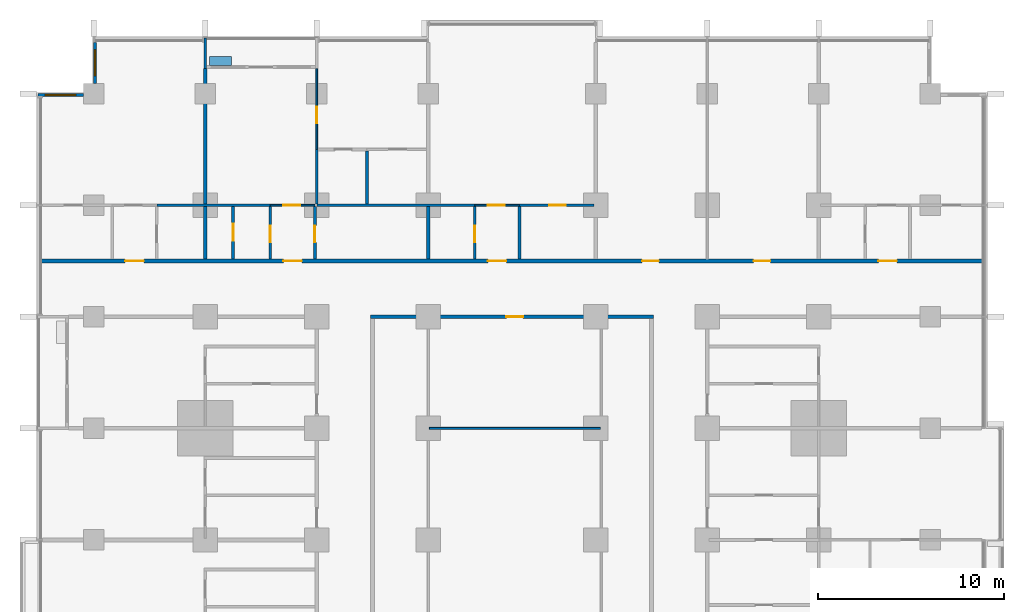
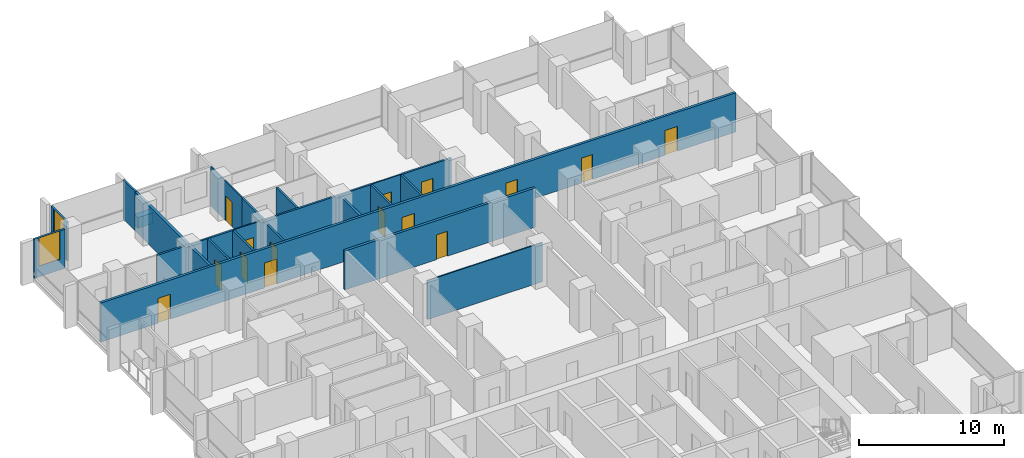
# One storey, part 11 of 17: 23 walls, 15 doors, 2 windows, 17 openings.
"""IFC4 building model written with IfcOpenShell, lengths in metres."""

import ifcopenshell
import ifcopenshell.guid

model = None  # the IFC model being written
_history = None  # IfcOwnerHistory: only IFC2X3 demands one
_inside = {}  # id of a spatial element -> (the spatial element, [elements in it])
_under = {}  # id of a project, library or spatial element -> (it, [spatial elements below it])
_declared = {}  # id of a project -> (the project, [libraries it declares])
_typed = {}  # id of a type object -> (the type object, [elements of that type])
_made_of = {}  # id of a material, layer set ... -> (it, [elements and type objects made of it])


def new_model(schema):
    """Start an empty IFC model of exactly this schema.

    Asked for "IFC4X3", IfcOpenShell would pick the latest addendum, in which some entities
    have other attributes; the version numbers below select the first issue.
    IFC2X3 requires an IfcOwnerHistory on every rooted entity: one is made here for all.
    """
    global model, _history
    if schema == "IFC4X3":
        model = ifcopenshell.file(schema_version=(4, 3, 0, 0))
    else:
        model = ifcopenshell.file(schema=schema)
    _inside.clear()
    _under.clear()
    _declared.clear()
    _typed.clear()
    _made_of.clear()
    _history = None
    if model.schema == "IFC2X3":
        org = make("IfcOrganization", Name="unknown")
        user = make(
            "IfcPersonAndOrganization",
            ThePerson=make("IfcPerson", FamilyName="unknown"),
            TheOrganization=org,
        )
        app = make(
            "IfcApplication",
            ApplicationDeveloper=org,
            Version="unknown",
            ApplicationFullName="unknown",
            ApplicationIdentifier="unknown",
        )
        _history = make(
            "IfcOwnerHistory",
            OwningUser=user,
            OwningApplication=app,
            ChangeAction="ADDED",
            CreationDate=0,
        )
    return model


def make(cls, **values):
    """One entity of the class cls with the attributes given. An attribute that is None is left unset."""
    return model.create_entity(
        cls, **{name: value for name, value in values.items() if value is not None}
    )


def rooted(cls, **values):
    """An entity with a GlobalId (a new one), such as an element, a storey or a relation."""
    return make(cls, GlobalId=ifcopenshell.guid.new(), OwnerHistory=_history, **values)


def si_unit(unit_type, name, prefix=None):
    """IfcSIUnit, for example si_unit("LENGTHUNIT", "METRE", prefix="MILLI")."""
    return make("IfcSIUnit", UnitType=unit_type, Prefix=prefix, Name=name)


def assignment(units):
    """IfcUnitAssignment: the units of a project."""
    return None if units is None else make("IfcUnitAssignment", Units=units)


def point(xyz):
    """IfcCartesianPoint."""
    return None if xyz is None else make("IfcCartesianPoint", Coordinates=xyz)


def direction(xyz):
    """IfcDirection."""
    return None if xyz is None else make("IfcDirection", DirectionRatios=xyz)


def frame(location, z_axis=None, x_axis=None):
    """IfcAxis2Placement3D, a coordinate frame: its origin and axes. An axis left out is left unset."""
    return make(
        "IfcAxis2Placement3D",
        Location=point(location),
        Axis=direction(z_axis),
        RefDirection=direction(x_axis),
    )


def frame_2d(location, x_axis=None):
    """IfcAxis2Placement2D, a coordinate frame in the plane: its origin and x axis."""
    return make(
        "IfcAxis2Placement2D", Location=point(location), RefDirection=direction(x_axis)
    )


def origin():
    """The frame at (0, 0, 0) with its axes left unset."""
    return frame((0.0, 0.0, 0.0))


def place(relative_to, where):
    """IfcLocalPlacement: puts the frame where relative to a parent placement (None: the world)."""
    return make(
        "IfcLocalPlacement", PlacementRelTo=relative_to, RelativePlacement=where
    )


def context(
    kind, dimensions, precision=None, world=None, true_north=None, identifier=None
):
    """IfcGeometricRepresentationContext, for example the 3D "Model" context."""
    return make(
        "IfcGeometricRepresentationContext",
        ContextIdentifier=identifier,
        ContextType=kind,
        CoordinateSpaceDimension=dimensions,
        Precision=precision,
        WorldCoordinateSystem=world,
        TrueNorth=true_north,
    )


def subcontext(parent, identifier, kind, view, scale=None):
    """IfcGeometricRepresentationSubContext, for example "Body" below "Model"."""
    return make(
        "IfcGeometricRepresentationSubContext",
        ContextIdentifier=identifier,
        ContextType=kind,
        ParentContext=parent,
        TargetScale=scale,
        TargetView=view,
    )


def project(units=None, contexts=None):
    """IfcProject with its units and contexts."""
    return rooted(
        "IfcProject",
        Name="project",
        RepresentationContexts=contexts,
        UnitsInContext=assignment(units),
    )


def spatial(cls, under=None, at=None, **own):
    """A site, building, storey or space (cls), placed at a placement, below another one or the project."""
    s = rooted(cls, ObjectPlacement=at, **own)
    if under is not None:
        _under.setdefault(under.id(), (under, []))[1].append(s)
    return s


def profile(cls, at=None, kind="AREA", **sizes):
    """A parametric profile (cls). Its sizes go by their IFC names, for example OverallWidth=200.0."""
    return make(cls, ProfileType=kind, Position=at, **sizes)


def rectangle(**sizes):
    """IfcRectangleProfileDef."""
    return profile("IfcRectangleProfileDef", **sizes)


def extrude(swept, where, along, depth):
    """IfcExtrudedAreaSolid: the profile swept, set in the frame where, extruded along a direction by depth."""
    return make(
        "IfcExtrudedAreaSolid",
        SweptArea=swept,
        Position=where,
        ExtrudedDirection=direction(along),
        Depth=depth,
    )


def shape(context_of_items, identifier, shape_type, items):
    """IfcShapeRepresentation: the items that make up one representation, for example the "Body"."""
    return make(
        "IfcShapeRepresentation",
        ContextOfItems=context_of_items,
        RepresentationIdentifier=identifier,
        RepresentationType=shape_type,
        Items=items,
    )


def material(Name=None, Category=None):
    """IfcMaterial."""
    return make("IfcMaterial", Name=Name, Category=Category)


def layer(
    of_material, thickness, ventilated=None, Name=None, Category=None, Priority=None
):
    """IfcMaterialLayer: one layer of a wall or slab, of a material (None: an air gap)."""
    return make(
        "IfcMaterialLayer",
        Material=of_material,
        LayerThickness=thickness,
        IsVentilated=ventilated,
        Name=Name,
        Category=Category,
        Priority=Priority,
    )


def layer_set(layers, Name=None):
    """IfcMaterialLayerSet."""
    return make("IfcMaterialLayerSet", MaterialLayers=layers, LayerSetName=Name)


def made_of(thing, what):
    """Note that an element or type object is made of a material, layer set ...; save() writes the relation."""
    if what is not None:
        _made_of.setdefault(what.id(), (what, []))[1].append(thing)
    return thing


def type_object(cls, material=None, **own):
    """A type object (cls), such as IfcWallType, which elements share."""
    return made_of(rooted(cls, **own), material)


def element(
    cls,
    number,
    at=None,
    inside=None,
    cuts=None,
    type_object=None,
    material=None,
    context=None,
    identifier="Body",
    shape_type=None,
    held_by="IfcProductDefinitionShape",
    body=None,
    shapes=None,
    **own,
):
    """One element of the class cls, such as IfcWall. Its Tag is "e" and its number.

    at: its placement. inside: the storey or other place that contains it. cuts: it is an
    opening in that element (IfcRelVoidsElement). A single representation is given by context,
    identifier, shape_type and body (its items); several are given by shapes. held_by: the class
    of the entity that holds the representations. save() writes the other relations.
    """
    e = rooted(cls, Tag="e%d" % number, ObjectPlacement=at, **own)
    if body is not None:
        shapes = [shape(context, identifier, shape_type, body)]
    if shapes is not None:
        e.Representation = make(held_by, Representations=shapes)
    if inside is not None:
        _inside.setdefault(inside.id(), (inside, []))[1].append(e)
    if cuts is not None:
        rooted(
            "IfcRelVoidsElement", RelatingBuildingElement=cuts, RelatedOpeningElement=e
        )
    if type_object is not None:
        _typed.setdefault(type_object.id(), (type_object, []))[1].append(e)
    return made_of(e, material)


def fill(opening, filler):
    """IfcRelFillsElement: the door or window that sits in an opening."""
    return rooted(
        "IfcRelFillsElement",
        RelatingOpeningElement=opening,
        RelatedBuildingElement=filler,
    )


def aggregate(whole, parts):
    """IfcRelAggregates: a whole, such as a stair, and the parts it consists of."""
    return rooted("IfcRelAggregates", RelatingObject=whole, RelatedObjects=parts)


def save(model, path):
    """Write the relations noted so far, then the file.

    IfcRelAggregates (storeys below a building ...), IfcRelContainedInSpatialStructure (elements
    in a storey), IfcRelDefinesByType, IfcRelAssociatesMaterial and IfcRelDeclares: one each for
    every whole, place, type object, material and project.
    """
    for whole, parts in _under.values():
        aggregate(whole, parts)
    for where, things in _inside.values():
        rooted(
            "IfcRelContainedInSpatialStructure",
            RelatedElements=things,
            RelatingStructure=where,
        )
    for kind, things in _typed.values():
        rooted("IfcRelDefinesByType", RelatedObjects=things, RelatingType=kind)
    for what, things in _made_of.values():
        rooted("IfcRelAssociatesMaterial", RelatedObjects=things, RelatingMaterial=what)
    for by, libraries in _declared.values():
        rooted("IfcRelDeclares", RelatingContext=by, RelatedDefinitions=libraries)
    model.write(path)


model = new_model("IFC4")

# Units and contexts
model_context = context("Model", 3, precision=1e-05, world=origin(), true_north=direction((0.0, 1.0)))
body_context = subcontext(model_context, "Body", "Model", "MODEL_VIEW")
ifc_project = project(units=[si_unit("LENGTHUNIT", "METRE"), si_unit("AREAUNIT", "SQUARE_METRE"), si_unit("VOLUMEUNIT", "CUBIC_METRE"), si_unit("PLANEANGLEUNIT", "RADIAN"), si_unit("MASSUNIT", "GRAM", prefix="KILO")], contexts=[model_context])

# Site, building, storey
site_placement = place(None, origin())
site = spatial("IfcSite", under=ifc_project, at=site_placement, CompositionType="ELEMENT")
building_placement = place(site_placement, origin())
building = spatial("IfcBuilding", under=site, at=building_placement, Name="Finial Court Residences", CompositionType="ELEMENT")
storey_placement = place(building_placement, frame((0.0, 0.0, 61.300048828125)))
storey = spatial("IfcBuildingStorey", under=building, at=storey_placement, Name="L14", CompositionType="ELEMENT", Elevation=61.300048828125)

# Walls
ifc_material_1 = material(Name="Gypsum board")
ifc_layer_1 = layer(ifc_material_1, 0.02490234375)
ifc_material_2 = material(Name="Acoustic mineral wool in double frame")
ifc_layer_2 = layer(ifc_material_2, 0.14990234375)
ifc_layer_3 = layer(ifc_material_1, 0.02490234375)
ifc_layer_set_1 = layer_set([ifc_layer_1, ifc_layer_2, ifc_layer_3], Name="Acoustic party wall 200, 1 hour")
wall_type_1 = type_object("IfcWallType", Name="Acoustic party wall 200, 1 hour", PredefinedType="PARTITIONING", material=ifc_layer_set_1)
wall_1_placement = place(storey_placement, frame((-16.5, 16.60009765625, 0.0), z_axis=(0.0, 0.0, 1.0), x_axis=(0.0, 1.0, 0.0)))
element("IfcWall", 1, at=wall_1_placement, inside=storey, type_object=wall_type_1, Name="Partition L14-053", PredefinedType="PARTITIONING", context=body_context, shape_type="SweptSolid", body=[
    extrude(rectangle(XDim=2.824951171875, YDim=0.199951171875, at=frame_2d((1.41259765625, 0.0))), origin(), (0.0, 0.0, 1.0), 3.300048828125),
])
wall_2_placement = place(storey_placement, frame((-16.5, 19.574951171875, 0.0), z_axis=(0.0, 0.0, 1.0), x_axis=(0.0, 1.0, 0.0)))
element("IfcWall", 2, at=wall_2_placement, inside=storey, type_object=wall_type_1, Name="Partition L14-054", PredefinedType="PARTITIONING", context=body_context, shape_type="SweptSolid", body=[
    extrude(rectangle(XDim=7.275146484375, YDim=0.199951171875, at=frame_2d((3.6376953125, 0.0))), origin(), (0.0, 0.0, 1.0), 3.300048828125),
])
wall_3_placement = place(storey_placement, frame((-4.5, 16.60009765625, 0.0), z_axis=(0.0, 0.0, 1.0), x_axis=(0.0, 1.0, 0.0)))
element("IfcWall", 3, at=wall_3_placement, inside=storey, type_object=wall_type_1, Name="Partition L14-069", PredefinedType="PARTITIONING", context=body_context, shape_type="SweptSolid", body=[
    extrude(rectangle(XDim=2.824951171875, YDim=0.199951171875, at=frame_2d((1.41259765625, 0.0))), origin(), (0.0, 0.0, 1.0), 3.300048828125),
])

# Wall, opening, door
ifc_layer_4 = layer(ifc_material_1, 0.02490234375)
ifc_layer_5 = layer(ifc_material_2, 0.14990234375)
ifc_layer_6 = layer(ifc_material_1, 0.02490234375)
ifc_layer_set_2 = layer_set([ifc_layer_4, ifc_layer_5, ifc_layer_6], Name="Corridor wall 200, 1 hour")
wall_type_2 = type_object("IfcWallType", Name="Corridor wall 200, 1 hour", PredefinedType="PARTITIONING", material=ifc_layer_set_2)
wall_4_placement = place(storey_placement, frame((-7.60009765625, 13.5, 0.0), z_axis=(0.0, 0.0, 1.0), x_axis=(1.0, 0.0, 0.0)))
wall_4 = element("IfcWall", 4, at=wall_4_placement, inside=storey, type_object=wall_type_2, Name="Partition L14-029", PredefinedType="PARTITIONING", context=body_context, shape_type="SweptSolid", body=[
    extrude(rectangle(XDim=15.2001953125, YDim=0.199951171875, at=frame_2d((7.60009765625, 0.0))), origin(), (0.0, 0.0, 1.0), 3.300048828125),
])
opening_1_placement = place(wall_4_placement, frame((7.300048828125, 0.0, 0.0)))
opening_1 = element("IfcOpeningElement", 5, at=opening_1_placement, cuts=wall_4, Name="Opening L14-D017", PredefinedType="OPENING", context=body_context, shape_type="SweptSolid", body=[
    extrude(rectangle(XDim=0.89990234375, YDim=2.10009765625, at=frame_2d((0.449951171875, 1.050048828125))), frame((0.0, 0.10986328125, 0.0), z_axis=(0.0, -1.0, 0.0), x_axis=(1.0, 0.0, 0.0)), (0.0, 0.0, 1.0), 0.219970703125),
])
ifc_material_3 = material(Name="Timber door leaf in hollow metal frame", Category="wood")
door_type_1 = type_object("IfcDoorType", Name="Fire door set 900 x 2100, 30 minutes", OperationType="SINGLE_SWING_LEFT", PredefinedType="DOOR", material=ifc_material_3)
door_1_placement = place(opening_1_placement, origin())
door_1 = element("IfcDoor", 6, at=door_1_placement, inside=storey, type_object=door_type_1, Name="Door L14-D017", OperationType="SINGLE_SWING_RIGHT", OverallHeight=2.10009765625, OverallWidth=0.89990234375, PredefinedType="DOOR", context=body_context, shape_type="SweptSolid", body=[
    extrude(rectangle(XDim=0.89990234375, YDim=2.10009765625, at=frame_2d((0.449951171875, 1.050048828125))), frame((0.0, 0.02490234375, 0.0), z_axis=(0.0, -1.0, 0.0), x_axis=(1.0, 0.0, 0.0)), (0.0, 0.0, 1.0), 0.050048828125),
])
fill(opening_1, door_1)

# Wall, openings, doors
wall_5_placement = place(storey_placement, frame((-25.35009765625, 16.5, 0.0), z_axis=(0.0, 0.0, 1.0), x_axis=(1.0, 0.0, 0.0)))
wall_5 = element("IfcWall", 7, at=wall_5_placement, inside=storey, type_object=wall_type_2, Name="Partition L14-031", PredefinedType="PARTITIONING", context=body_context, shape_type="SweptSolid", body=[
    extrude(rectangle(XDim=50.7001953125, YDim=0.199951171875, at=frame_2d((25.35009765625, 0.0))), origin(), (0.0, 0.0, 1.0), 3.300048828125),
])
opening_2_placement = place(wall_5_placement, frame((4.550048828125, 0.0, 0.0)))
opening_2 = element("IfcOpeningElement", 8, at=opening_2_placement, cuts=wall_5, Name="Opening L14-D018", PredefinedType="OPENING", context=body_context, shape_type="SweptSolid", body=[
    extrude(rectangle(XDim=1.0, YDim=2.10009765625, at=frame_2d((0.5, 1.050048828125))), frame((0.0, 0.10986328125, 0.0), z_axis=(0.0, -1.0, 0.0), x_axis=(1.0, 0.0, 0.0)), (0.0, 0.0, 1.0), 0.219970703125),
])
opening_3_placement = place(wall_5_placement, frame((13.050048828125, 0.0, 0.0)))
opening_3 = element("IfcOpeningElement", 9, at=opening_3_placement, cuts=wall_5, Name="Opening L14-D019", PredefinedType="OPENING", context=body_context, shape_type="SweptSolid", body=[
    extrude(rectangle(XDim=1.0, YDim=2.10009765625, at=frame_2d((0.5, 1.050048828125))), frame((0.0, 0.10986328125, 0.0), z_axis=(0.0, -1.0, 0.0), x_axis=(1.0, 0.0, 0.0)), (0.0, 0.0, 1.0), 0.219970703125),
])
opening_4_placement = place(wall_5_placement, frame((24.050048828125, 0.0, 0.0)))
opening_4 = element("IfcOpeningElement", 10, at=opening_4_placement, cuts=wall_5, Name="Opening L14-D020", PredefinedType="OPENING", context=body_context, shape_type="SweptSolid", body=[
    extrude(rectangle(XDim=1.0, YDim=2.10009765625, at=frame_2d((0.5, 1.050048828125))), frame((0.0, 0.10986328125, 0.0), z_axis=(0.0, -1.0, 0.0), x_axis=(1.0, 0.0, 0.0)), (0.0, 0.0, 1.0), 0.219970703125),
])
opening_5_placement = place(wall_5_placement, frame((32.35009765625, 0.0, 0.0)))
opening_5 = element("IfcOpeningElement", 11, at=opening_5_placement, cuts=wall_5, Name="Opening L14-D021", PredefinedType="OPENING", context=body_context, shape_type="SweptSolid", body=[
    extrude(rectangle(XDim=0.89990234375, YDim=2.10009765625, at=frame_2d((0.449951171875, 1.050048828125))), frame((0.0, 0.10986328125, 0.0), z_axis=(0.0, -1.0, 0.0), x_axis=(1.0, 0.0, 0.0)), (0.0, 0.0, 1.0), 0.219970703125),
])
opening_6_placement = place(wall_5_placement, frame((38.35009765625, 0.0, 0.0)))
opening_6 = element("IfcOpeningElement", 12, at=opening_6_placement, cuts=wall_5, Name="Opening L14-D022", PredefinedType="OPENING", context=body_context, shape_type="SweptSolid", body=[
    extrude(rectangle(XDim=0.89990234375, YDim=2.10009765625, at=frame_2d((0.449951171875, 1.050048828125))), frame((0.0, 0.10986328125, 0.0), z_axis=(0.0, -1.0, 0.0), x_axis=(1.0, 0.0, 0.0)), (0.0, 0.0, 1.0), 0.219970703125),
])
opening_7_placement = place(wall_5_placement, frame((45.050048828125, 0.0, 0.0)))
opening_7 = element("IfcOpeningElement", 13, at=opening_7_placement, cuts=wall_5, Name="Opening L14-D023", PredefinedType="OPENING", context=body_context, shape_type="SweptSolid", body=[
    extrude(rectangle(XDim=1.0, YDim=2.10009765625, at=frame_2d((0.5, 1.050048828125))), frame((0.0, 0.10986328125, 0.0), z_axis=(0.0, -1.0, 0.0), x_axis=(1.0, 0.0, 0.0)), (0.0, 0.0, 1.0), 0.219970703125),
])
door_type_2 = type_object("IfcDoorType", Name="Fire door set 1000 x 2100, 30 minutes", OperationType="SINGLE_SWING_LEFT", PredefinedType="DOOR", material=ifc_material_3)
door_2_placement = place(opening_2_placement, origin())
door_2 = element("IfcDoor", 14, at=door_2_placement, inside=storey, type_object=door_type_2, Name="Door L14-D018", OperationType="SINGLE_SWING_RIGHT", OverallHeight=2.10009765625, OverallWidth=1.0, PredefinedType="DOOR", context=body_context, shape_type="SweptSolid", body=[
    extrude(rectangle(XDim=1.0, YDim=2.10009765625, at=frame_2d((0.5, 1.050048828125))), frame((0.0, 0.02490234375, 0.0), z_axis=(0.0, -1.0, 0.0), x_axis=(1.0, 0.0, 0.0)), (0.0, 0.0, 1.0), 0.050048828125),
])
fill(opening_2, door_2)
door_3_placement = place(opening_3_placement, origin())
door_3 = element("IfcDoor", 15, at=door_3_placement, inside=storey, type_object=door_type_2, Name="Door L14-D019", OperationType="SINGLE_SWING_RIGHT", OverallHeight=2.10009765625, OverallWidth=1.0, PredefinedType="DOOR", context=body_context, shape_type="SweptSolid", body=[
    extrude(rectangle(XDim=1.0, YDim=2.10009765625, at=frame_2d((0.5, 1.050048828125))), frame((0.0, 0.02490234375, 0.0), z_axis=(0.0, -1.0, 0.0), x_axis=(1.0, 0.0, 0.0)), (0.0, 0.0, 1.0), 0.050048828125),
])
fill(opening_3, door_3)
door_4_placement = place(opening_4_placement, origin())
door_4 = element("IfcDoor", 16, at=door_4_placement, inside=storey, type_object=door_type_2, Name="Door L14-D020", OperationType="SINGLE_SWING_RIGHT", OverallHeight=2.10009765625, OverallWidth=1.0, PredefinedType="DOOR", context=body_context, shape_type="SweptSolid", body=[
    extrude(rectangle(XDim=1.0, YDim=2.10009765625, at=frame_2d((0.5, 1.050048828125))), frame((0.0, 0.02490234375, 0.0), z_axis=(0.0, -1.0, 0.0), x_axis=(1.0, 0.0, 0.0)), (0.0, 0.0, 1.0), 0.050048828125),
])
fill(opening_4, door_4)
door_5_placement = place(opening_7_placement, origin())
door_5 = element("IfcDoor", 17, at=door_5_placement, inside=storey, type_object=door_type_2, Name="Door L14-D023", OperationType="SINGLE_SWING_LEFT", OverallHeight=2.10009765625, OverallWidth=1.0, PredefinedType="DOOR", context=body_context, shape_type="SweptSolid", body=[
    extrude(rectangle(XDim=1.0, YDim=2.10009765625, at=frame_2d((0.5, 1.050048828125))), frame((0.0, 0.02490234375, 0.0), z_axis=(0.0, -1.0, 0.0), x_axis=(1.0, 0.0, 0.0)), (0.0, 0.0, 1.0), 0.050048828125),
])
fill(opening_7, door_5)
door_6_placement = place(opening_5_placement, origin())
door_6 = element("IfcDoor", 18, at=door_6_placement, inside=storey, type_object=door_type_1, Name="Door L14-D021", OperationType="SINGLE_SWING_LEFT", OverallHeight=2.10009765625, OverallWidth=0.89990234375, PredefinedType="DOOR", context=body_context, shape_type="SweptSolid", body=[
    extrude(rectangle(XDim=0.89990234375, YDim=2.10009765625, at=frame_2d((0.449951171875, 1.050048828125))), frame((0.0, 0.02490234375, 0.0), z_axis=(0.0, -1.0, 0.0), x_axis=(1.0, 0.0, 0.0)), (0.0, 0.0, 1.0), 0.050048828125),
])
fill(opening_5, door_6)
door_7_placement = place(opening_6_placement, origin())
door_7 = element("IfcDoor", 19, at=door_7_placement, inside=storey, type_object=door_type_1, Name="Door L14-D022", OperationType="SINGLE_SWING_LEFT", OverallHeight=2.10009765625, OverallWidth=0.89990234375, PredefinedType="DOOR", context=body_context, shape_type="SweptSolid", body=[
    extrude(rectangle(XDim=0.89990234375, YDim=2.10009765625, at=frame_2d((0.449951171875, 1.050048828125))), frame((0.0, 0.02490234375, 0.0), z_axis=(0.0, -1.0, 0.0), x_axis=(1.0, 0.0, 0.0)), (0.0, 0.0, 1.0), 0.050048828125),
])
fill(opening_6, door_7)

# Wall
ifc_layer_7 = layer(ifc_material_1, 0.012451171875)
ifc_material_4 = material(Name="Mineral wool in light-gauge frame")
ifc_layer_8 = layer(ifc_material_4, 0.074951171875)
ifc_layer_9 = layer(ifc_material_1, 0.012451171875)
ifc_layer_set_3 = layer_set([ifc_layer_7, ifc_layer_8, ifc_layer_9], Name="Gypsum board partition 100")
wall_type_3 = type_object("IfcWallType", Name="Gypsum board partition 100", PredefinedType="PARTITIONING", material=ifc_layer_set_3)
wall_6_placement = place(storey_placement, frame((-4.449951171875, 7.5, 0.0), z_axis=(0.0, 0.0, 1.0), x_axis=(1.0, 0.0, 0.0)))
element("IfcWall", 20, at=wall_6_placement, inside=storey, type_object=wall_type_3, Name="Partition L14-021", PredefinedType="PARTITIONING", context=body_context, shape_type="SweptSolid", body=[
    extrude(rectangle(XDim=9.199951171875, YDim=0.10009765625, at=frame_2d((4.60009765625, 0.0))), origin(), (0.0, 0.0, 1.0), 3.300048828125),
])

# Wall, opening, door
wall_7_placement = place(storey_placement, frame((-13.0, 19.5, 0.0), z_axis=(0.0, 0.0, 1.0), x_axis=(1.0, 0.0, 0.0)))
wall_7 = element("IfcWall", 21, at=wall_7_placement, inside=storey, type_object=wall_type_3, Name="Partition L14-033", PredefinedType="PARTITIONING", context=body_context, shape_type="SweptSolid", body=[
    extrude(rectangle(XDim=2.39990234375, YDim=0.10009765625, at=frame_2d((1.199951171875, 0.0))), origin(), (0.0, 0.0, 1.0), 3.300048828125),
])
opening_8_placement = place(wall_7_placement, frame((0.699951171875, 0.0, 0.0)))
opening_8 = element("IfcOpeningElement", 22, at=opening_8_placement, cuts=wall_7, Name="Opening L14-D025", PredefinedType="OPENING", context=body_context, shape_type="SweptSolid", body=[
    extrude(rectangle(XDim=0.89990234375, YDim=2.10009765625, at=frame_2d((0.449951171875, 1.050048828125))), frame((0.0, 0.06005859375, 0.0), z_axis=(0.0, -1.0, 0.0), x_axis=(1.0, 0.0, 0.0)), (0.0, 0.0, 1.0), 0.1201171875),
])
ifc_material_5 = material(Name="Timber door leaf in timber frame", Category="wood")
door_type_3 = type_object("IfcDoorType", Name="Door set 900 x 2100", OperationType="SINGLE_SWING_LEFT", PredefinedType="DOOR", material=ifc_material_5)
door_8_placement = place(opening_8_placement, origin())
door_8 = element("IfcDoor", 23, at=door_8_placement, inside=storey, type_object=door_type_3, Name="Door L14-D025", OperationType="SINGLE_SWING_RIGHT", OverallHeight=2.10009765625, OverallWidth=0.89990234375, PredefinedType="DOOR", context=body_context, shape_type="SweptSolid", body=[
    extrude(rectangle(XDim=0.89990234375, YDim=2.10009765625, at=frame_2d((0.449951171875, 1.050048828125))), frame((0.0, 0.02490234375, 0.0), z_axis=(0.0, -1.0, 0.0), x_axis=(1.0, 0.0, 0.0)), (0.0, 0.0, 1.0), 0.050048828125),
])
fill(opening_8, door_8)

wall_8_placement = place(storey_placement, frame((-2.0, 19.5, 0.0), z_axis=(0.0, 0.0, 1.0), x_axis=(1.0, 0.0, 0.0)))
wall_8 = element("IfcWall", 24, at=wall_8_placement, inside=storey, type_object=wall_type_3, Name="Partition L14-034", PredefinedType="PARTITIONING", context=body_context, shape_type="SweptSolid", body=[
    extrude(rectangle(XDim=2.39990234375, YDim=0.10009765625, at=frame_2d((1.199951171875, 0.0))), origin(), (0.0, 0.0, 1.0), 3.300048828125),
])
opening_9_placement = place(wall_8_placement, frame((0.699951171875, 0.0, 0.0)))
opening_9 = element("IfcOpeningElement", 25, at=opening_9_placement, cuts=wall_8, Name="Opening L14-D026", PredefinedType="OPENING", context=body_context, shape_type="SweptSolid", body=[
    extrude(rectangle(XDim=0.89990234375, YDim=2.10009765625, at=frame_2d((0.449951171875, 1.050048828125))), frame((0.0, 0.06005859375, 0.0), z_axis=(0.0, -1.0, 0.0), x_axis=(1.0, 0.0, 0.0)), (0.0, 0.0, 1.0), 0.1201171875),
])
door_9_placement = place(opening_9_placement, origin())
door_9 = element("IfcDoor", 26, at=door_9_placement, inside=storey, type_object=door_type_3, Name="Door L14-D026", OperationType="SINGLE_SWING_LEFT", OverallHeight=2.10009765625, OverallWidth=0.89990234375, PredefinedType="DOOR", context=body_context, shape_type="SweptSolid", body=[
    extrude(rectangle(XDim=0.89990234375, YDim=2.10009765625, at=frame_2d((0.449951171875, 1.050048828125))), frame((0.0, 0.02490234375, 0.0), z_axis=(0.0, -1.0, 0.0), x_axis=(1.0, 0.0, 0.0)), (0.0, 0.0, 1.0), 0.050048828125),
])
fill(opening_9, door_9)

wall_9_placement = place(storey_placement, frame((-10.5, 22.5, 0.0), z_axis=(0.0, 0.0, 1.0), x_axis=(0.0, 1.0, 0.0)))
wall_9 = element("IfcWall", 27, at=wall_9_placement, inside=storey, type_object=wall_type_3, Name="Partition L14-064", PredefinedType="PARTITIONING", context=body_context, shape_type="SweptSolid", body=[
    extrude(rectangle(XDim=4.35009765625, YDim=0.10009765625, at=frame_2d((2.175048828125, 0.0))), origin(), (0.0, 0.0, 1.0), 3.300048828125),
])
opening_10_placement = place(wall_9_placement, frame((1.39990234375, 0.0, 0.0)))
opening_10 = element("IfcOpeningElement", 28, at=opening_10_placement, cuts=wall_9, Name="Opening L14-D048", PredefinedType="OPENING", context=body_context, shape_type="SweptSolid", body=[
    extrude(rectangle(XDim=0.89990234375, YDim=2.10009765625, at=frame_2d((0.449951171875, 1.050048828125))), frame((0.0, 0.06005859375, 0.0), z_axis=(0.0, -1.0, 0.0), x_axis=(1.0, 0.0, 0.0)), (0.0, 0.0, 1.0), 0.1201171875),
])
door_10_placement = place(opening_10_placement, origin())
door_10 = element("IfcDoor", 29, at=door_10_placement, inside=storey, type_object=door_type_3, Name="Door L14-D048", OperationType="SINGLE_SWING_LEFT", OverallHeight=2.10009765625, OverallWidth=0.89990234375, PredefinedType="DOOR", context=body_context, shape_type="SweptSolid", body=[
    extrude(rectangle(XDim=0.89990234375, YDim=2.10009765625, at=frame_2d((0.449951171875, 1.050048828125))), frame((0.0, 0.02490234375, 0.0), z_axis=(0.0, -1.0, 0.0), x_axis=(1.0, 0.0, 0.0)), (0.0, 0.0, 1.0), 0.050048828125),
])
fill(opening_10, door_10)

# Walls
ifc_material_6 = material(Name="Moisture-resistant gypsum board")
ifc_layer_10 = layer(ifc_material_6, 0.012451171875)
ifc_layer_11 = layer(ifc_material_4, 0.125)
ifc_layer_12 = layer(ifc_material_6, 0.012451171875)
ifc_layer_set_4 = layer_set([ifc_layer_10, ifc_layer_11, ifc_layer_12], Name="Gypsum board wet-area partition 150")
wall_type_4 = type_object("IfcWallType", Name="Gypsum board wet-area partition 150", PredefinedType="PARTITIONING", material=ifc_layer_set_4)
wall_10_placement = place(storey_placement, frame((-19.10009765625, 19.5, 0.0), z_axis=(0.0, 0.0, 1.0), x_axis=(1.0, 0.0, 0.0)))
element("IfcWall", 30, at=wall_10_placement, inside=storey, type_object=wall_type_4, Name="Partition L14-037", PredefinedType="PARTITIONING", context=body_context, shape_type="SweptSolid", body=[
    extrude(rectangle(XDim=6.10009765625, YDim=0.14990234375, at=frame_2d((3.050048828125, 0.0))), origin(), (0.0, 0.0, 1.0), 3.300048828125),
])
wall_11_placement = place(storey_placement, frame((-10.5, 19.5, 0.0), z_axis=(0.0, 0.0, 1.0), x_axis=(1.0, 0.0, 0.0)))
element("IfcWall", 31, at=wall_11_placement, inside=storey, type_object=wall_type_4, Name="Partition L14-038", PredefinedType="PARTITIONING", context=body_context, shape_type="SweptSolid", body=[
    extrude(rectangle(XDim=8.5, YDim=0.14990234375, at=frame_2d((4.25, 0.0))), origin(), (0.0, 0.0, 1.0), 3.300048828125),
])

# Wall, opening, door
wall_12_placement = place(storey_placement, frame((0.39990234375, 19.5, 0.0), z_axis=(0.0, 0.0, 1.0), x_axis=(1.0, 0.0, 0.0)))
wall_12 = element("IfcWall", 32, at=wall_12_placement, inside=storey, type_object=wall_type_4, Name="Partition L14-039", PredefinedType="PARTITIONING", context=body_context, shape_type="SweptSolid", body=[
    extrude(rectangle(XDim=4.0, YDim=0.14990234375, at=frame_2d((2.0, 0.0))), origin(), (0.0, 0.0, 1.0), 3.300048828125),
])
opening_11_placement = place(wall_12_placement, frame((1.60009765625, 0.0, 0.0)))
opening_11 = element("IfcOpeningElement", 33, at=opening_11_placement, cuts=wall_12, Name="Opening L14-D029", PredefinedType="OPENING", context=body_context, shape_type="SweptSolid", body=[
    extrude(rectangle(XDim=0.89990234375, YDim=2.10009765625, at=frame_2d((0.449951171875, 1.050048828125))), frame((0.0, 0.0849609375, 0.0), z_axis=(0.0, -1.0, 0.0), x_axis=(1.0, 0.0, 0.0)), (0.0, 0.0, 1.0), 0.169921875),
])
door_11_placement = place(opening_11_placement, origin())
door_11 = element("IfcDoor", 34, at=door_11_placement, inside=storey, type_object=door_type_3, Name="Door L14-D029", OperationType="SINGLE_SWING_RIGHT", OverallHeight=2.10009765625, OverallWidth=0.89990234375, PredefinedType="DOOR", context=body_context, shape_type="SweptSolid", body=[
    extrude(rectangle(XDim=0.89990234375, YDim=2.10009765625, at=frame_2d((0.449951171875, 1.050048828125))), frame((0.0, 0.02490234375, 0.0), z_axis=(0.0, -1.0, 0.0), x_axis=(1.0, 0.0, 0.0)), (0.0, 0.0, 1.0), 0.050048828125),
])
fill(opening_11, door_11)

wall_13_placement = place(storey_placement, frame((-15.0, 16.60009765625, 0.0), z_axis=(0.0, 0.0, 1.0), x_axis=(0.0, 1.0, 0.0)))
wall_13 = element("IfcWall", 35, at=wall_13_placement, inside=storey, type_object=wall_type_4, Name="Partition L14-060", PredefinedType="PARTITIONING", context=body_context, shape_type="SweptSolid", body=[
    extrude(rectangle(XDim=2.824951171875, YDim=0.14990234375, at=frame_2d((1.41259765625, 0.0))), origin(), (0.0, 0.0, 1.0), 3.300048828125),
])
opening_12_placement = place(wall_13_placement, frame((1.0, 0.0, 0.0)))
opening_12 = element("IfcOpeningElement", 36, at=opening_12_placement, cuts=wall_13, Name="Opening L14-D043", PredefinedType="OPENING", context=body_context, shape_type="SweptSolid", body=[
    extrude(rectangle(XDim=0.89990234375, YDim=2.10009765625, at=frame_2d((0.449951171875, 1.050048828125))), frame((0.0, 0.0849609375, 0.0), z_axis=(0.0, -1.0, 0.0), x_axis=(1.0, 0.0, 0.0)), (0.0, 0.0, 1.0), 0.169921875),
])
door_12_placement = place(opening_12_placement, origin())
door_12 = element("IfcDoor", 37, at=door_12_placement, inside=storey, type_object=door_type_3, Name="Door L14-D043", OperationType="SINGLE_SWING_LEFT", OverallHeight=2.10009765625, OverallWidth=0.89990234375, PredefinedType="DOOR", context=body_context, shape_type="SweptSolid", body=[
    extrude(rectangle(XDim=0.89990234375, YDim=2.10009765625, at=frame_2d((0.449951171875, 1.050048828125))), frame((0.0, 0.02490234375, 0.0), z_axis=(0.0, -1.0, 0.0), x_axis=(1.0, 0.0, 0.0)), (0.0, 0.0, 1.0), 0.050048828125),
])
fill(opening_12, door_12)

wall_14_placement = place(storey_placement, frame((-13.0, 16.60009765625, 0.0), z_axis=(0.0, 0.0, 1.0), x_axis=(0.0, 1.0, 0.0)))
wall_14 = element("IfcWall", 38, at=wall_14_placement, inside=storey, type_object=wall_type_4, Name="Partition L14-061", PredefinedType="PARTITIONING", context=body_context, shape_type="SweptSolid", body=[
    extrude(rectangle(XDim=2.824951171875, YDim=0.14990234375, at=frame_2d((1.41259765625, 0.0))), origin(), (0.0, 0.0, 1.0), 3.300048828125),
])
opening_13_placement = place(wall_14_placement, frame((0.89990234375, 0.0, 0.0)))
opening_13 = element("IfcOpeningElement", 39, at=opening_13_placement, cuts=wall_14, Name="Opening L14-D044", PredefinedType="OPENING", context=body_context, shape_type="SweptSolid", body=[
    extrude(rectangle(XDim=0.89990234375, YDim=2.10009765625, at=frame_2d((0.449951171875, 1.050048828125))), frame((0.0, 0.0849609375, 0.0), z_axis=(0.0, -1.0, 0.0), x_axis=(1.0, 0.0, 0.0)), (0.0, 0.0, 1.0), 0.169921875),
])
door_13_placement = place(opening_13_placement, origin())
door_13 = element("IfcDoor", 40, at=door_13_placement, inside=storey, type_object=door_type_3, Name="Door L14-D044", OperationType="SINGLE_SWING_RIGHT", OverallHeight=2.10009765625, OverallWidth=0.89990234375, PredefinedType="DOOR", context=body_context, shape_type="SweptSolid", body=[
    extrude(rectangle(XDim=0.89990234375, YDim=2.10009765625, at=frame_2d((0.449951171875, 1.050048828125))), frame((0.0, 0.02490234375, 0.0), z_axis=(0.0, -1.0, 0.0), x_axis=(1.0, 0.0, 0.0)), (0.0, 0.0, 1.0), 0.050048828125),
])
fill(opening_13, door_13)

wall_15_placement = place(storey_placement, frame((-10.60009765625, 16.60009765625, 0.0), z_axis=(0.0, 0.0, 1.0), x_axis=(0.0, 1.0, 0.0)))
wall_15 = element("IfcWall", 41, at=wall_15_placement, inside=storey, type_object=wall_type_4, Name="Partition L14-062", PredefinedType="PARTITIONING", context=body_context, shape_type="SweptSolid", body=[
    extrude(rectangle(XDim=2.824951171875, YDim=0.14990234375, at=frame_2d((1.41259765625, 0.0))), origin(), (0.0, 0.0, 1.0), 3.300048828125),
])
opening_14_placement = place(wall_15_placement, frame((0.89990234375, 0.0, 0.0)))
opening_14 = element("IfcOpeningElement", 42, at=opening_14_placement, cuts=wall_15, Name="Opening L14-D045", PredefinedType="OPENING", context=body_context, shape_type="SweptSolid", body=[
    extrude(rectangle(XDim=0.89990234375, YDim=2.10009765625, at=frame_2d((0.449951171875, 1.050048828125))), frame((0.0, 0.0849609375, 0.0), z_axis=(0.0, -1.0, 0.0), x_axis=(1.0, 0.0, 0.0)), (0.0, 0.0, 1.0), 0.169921875),
])
door_14_placement = place(opening_14_placement, origin())
door_14 = element("IfcDoor", 43, at=door_14_placement, inside=storey, type_object=door_type_3, Name="Door L14-D045", OperationType="SINGLE_SWING_RIGHT", OverallHeight=2.10009765625, OverallWidth=0.89990234375, PredefinedType="DOOR", context=body_context, shape_type="SweptSolid", body=[
    extrude(rectangle(XDim=0.89990234375, YDim=2.10009765625, at=frame_2d((0.449951171875, 1.050048828125))), frame((0.0, 0.02490234375, 0.0), z_axis=(0.0, -1.0, 0.0), x_axis=(1.0, 0.0, 0.0)), (0.0, 0.0, 1.0), 0.050048828125),
])
fill(opening_14, door_14)

# Walls
wall_16_placement = place(storey_placement, frame((-10.5, 19.574951171875, 0.0), z_axis=(0.0, 0.0, 1.0), x_axis=(0.0, 1.0, 0.0)))
element("IfcWall", 44, at=wall_16_placement, inside=storey, type_object=wall_type_4, Name="Partition L14-065", PredefinedType="PARTITIONING", context=body_context, shape_type="SweptSolid", body=[
    extrude(rectangle(XDim=2.925048828125, YDim=0.14990234375, at=frame_2d((1.46240234375, 0.0))), origin(), (0.0, 0.0, 1.0), 3.300048828125),
])
wall_17_placement = place(storey_placement, frame((-7.800048828125, 19.574951171875, 0.0), z_axis=(0.0, 0.0, 1.0), x_axis=(0.0, 1.0, 0.0)))
element("IfcWall", 45, at=wall_17_placement, inside=storey, type_object=wall_type_4, Name="Partition L14-066", PredefinedType="PARTITIONING", context=body_context, shape_type="SweptSolid", body=[
    extrude(rectangle(XDim=2.85009765625, YDim=0.14990234375, at=frame_2d((1.425048828125, 0.0))), origin(), (0.0, 0.0, 1.0), 3.300048828125),
])

# Wall, opening, door
wall_18_placement = place(storey_placement, frame((-2.0, 16.60009765625, 0.0), z_axis=(0.0, 0.0, 1.0), x_axis=(0.0, 1.0, 0.0)))
wall_18 = element("IfcWall", 46, at=wall_18_placement, inside=storey, type_object=wall_type_4, Name="Partition L14-071", PredefinedType="PARTITIONING", context=body_context, shape_type="SweptSolid", body=[
    extrude(rectangle(XDim=2.824951171875, YDim=0.14990234375, at=frame_2d((1.41259765625, 0.0))), origin(), (0.0, 0.0, 1.0), 3.300048828125),
])
opening_15_placement = place(wall_18_placement, frame((0.89990234375, 0.0, 0.0)))
opening_15 = element("IfcOpeningElement", 47, at=opening_15_placement, cuts=wall_18, Name="Opening L14-D049", PredefinedType="OPENING", context=body_context, shape_type="SweptSolid", body=[
    extrude(rectangle(XDim=0.89990234375, YDim=2.10009765625, at=frame_2d((0.449951171875, 1.050048828125))), frame((0.0, 0.0849609375, 0.0), z_axis=(0.0, -1.0, 0.0), x_axis=(1.0, 0.0, 0.0)), (0.0, 0.0, 1.0), 0.169921875),
])
door_15_placement = place(opening_15_placement, origin())
door_15 = element("IfcDoor", 48, at=door_15_placement, inside=storey, type_object=door_type_3, Name="Door L14-D049", OperationType="SINGLE_SWING_RIGHT", OverallHeight=2.10009765625, OverallWidth=0.89990234375, PredefinedType="DOOR", context=body_context, shape_type="SweptSolid", body=[
    extrude(rectangle(XDim=0.89990234375, YDim=2.10009765625, at=frame_2d((0.449951171875, 1.050048828125))), frame((0.0, 0.02490234375, 0.0), z_axis=(0.0, -1.0, 0.0), x_axis=(1.0, 0.0, 0.0)), (0.0, 0.0, 1.0), 0.050048828125),
])
fill(opening_15, door_15)

# Wall
wall_19_placement = place(storey_placement, frame((0.39990234375, 16.60009765625, 0.0), z_axis=(0.0, 0.0, 1.0), x_axis=(0.0, 1.0, 0.0)))
element("IfcWall", 49, at=wall_19_placement, inside=storey, type_object=wall_type_4, Name="Partition L14-072", PredefinedType="PARTITIONING", context=body_context, shape_type="SweptSolid", body=[
    extrude(rectangle(XDim=2.824951171875, YDim=0.14990234375, at=frame_2d((1.41259765625, 0.0))), origin(), (0.0, 0.0, 1.0), 3.300048828125),
])

# Wall, opening, window
ifc_material_7 = material(Name="Natural limestone", Category="masonry")
ifc_layer_13 = layer(ifc_material_7, 0.14990234375)
ifc_layer_set_5 = layer_set([ifc_layer_13], Name="Limestone clad wall 150")
wall_type_5 = type_object("IfcWallType", Name="Limestone clad wall 150", PredefinedType="SOLIDWALL", material=ifc_layer_set_5)
wall_20_placement = place(storey_placement, frame((-22.425048828125, 26.050048828125, 0.0), z_axis=(0.0, 0.0, 1.0), x_axis=(0.0, 1.0, 0.0)))
wall_20 = element("IfcWall", 50, at=wall_20_placement, inside=storey, type_object=wall_type_5, Name="E-L14-NWW18", PredefinedType="SOLIDWALL", context=body_context, shape_type="SweptSolid", body=[
    extrude(rectangle(XDim=2.199951171875, YDim=0.14990234375, at=frame_2d((1.10009765625, 0.0))), origin(), (0.0, 0.0, 1.0), 3.300048828125),
])
opening_16_placement = place(wall_20_placement, frame((0.39990234375, 0.0, 0.89990234375)))
opening_16 = element("IfcOpeningElement", 51, at=opening_16_placement, cuts=wall_20, Name="Opening WE14-05", PredefinedType="OPENING", context=body_context, shape_type="SweptSolid", body=[
    extrude(rectangle(XDim=1.39990234375, YDim=2.39990234375, at=frame_2d((0.699951171875, 1.199951171875))), frame((0.0, 0.0849609375, 0.0), z_axis=(0.0, -1.0, 0.0), x_axis=(1.0, 0.0, 0.0)), (0.0, 0.0, 1.0), 0.169921875),
])
ifc_material_8 = material(Name="Clear low-e glass", Category="glass")
window_type_1 = type_object("IfcWindowType", Name="Corner window 1400 x 2400", PartitioningType="SINGLE_PANEL", PredefinedType="WINDOW", material=ifc_material_8)
window_1_placement = place(opening_16_placement, origin())
window_1 = element("IfcWindow", 52, at=window_1_placement, inside=storey, type_object=window_type_1, Name="E-L14-NWW18-W1", OverallHeight=2.39990234375, OverallWidth=1.39990234375, PartitioningType="SINGLE_PANEL", PredefinedType="WINDOW", context=body_context, shape_type="SweptSolid", body=[
    extrude(rectangle(XDim=1.39990234375, YDim=2.39990234375, at=frame_2d((0.699951171875, 1.199951171875))), frame((0.0, 0.030029296875, 0.0), z_axis=(0.0, -1.0, 0.0), x_axis=(1.0, 0.0, 0.0)), (0.0, 0.0, 1.0), 0.06005859375),
])
fill(opening_16, window_1)

wall_21_placement = place(storey_placement, frame((-25.5, 25.425048828125, 0.0), z_axis=(0.0, 0.0, 1.0), x_axis=(1.0, 0.0, 0.0)))
wall_21 = element("IfcWall", 53, at=wall_21_placement, inside=storey, type_object=wall_type_5, Name="E-L14-NWN19", PredefinedType="SOLIDWALL", context=body_context, shape_type="SweptSolid", body=[
    extrude(rectangle(XDim=2.449951171875, YDim=0.14990234375, at=frame_2d((1.22509765625, 0.0))), origin(), (0.0, 0.0, 1.0), 3.300048828125),
])
opening_17_placement = place(wall_21_placement, frame((0.39990234375, 0.0, 0.89990234375)))
opening_17 = element("IfcOpeningElement", 54, at=opening_17_placement, cuts=wall_21, Name="Opening WE14-06", PredefinedType="OPENING", context=body_context, shape_type="SweptSolid", body=[
    extrude(rectangle(XDim=1.64990234375, YDim=2.39990234375, at=frame_2d((0.824951171875, 1.199951171875))), frame((0.0, 0.0849609375, 0.0), z_axis=(0.0, -1.0, 0.0), x_axis=(1.0, 0.0, 0.0)), (0.0, 0.0, 1.0), 0.169921875),
])
window_type_2 = type_object("IfcWindowType", Name="Corner window 1650 x 2400", PartitioningType="SINGLE_PANEL", PredefinedType="WINDOW", material=ifc_material_8)
window_2_placement = place(opening_17_placement, origin())
window_2 = element("IfcWindow", 55, at=window_2_placement, inside=storey, type_object=window_type_2, Name="E-L14-NWN19-W1", OverallHeight=2.39990234375, OverallWidth=1.64990234375, PartitioningType="SINGLE_PANEL", PredefinedType="WINDOW", context=body_context, shape_type="SweptSolid", body=[
    extrude(rectangle(XDim=1.64990234375, YDim=2.39990234375, at=frame_2d((0.824951171875, 1.199951171875))), frame((0.0, 0.030029296875, 0.0), z_axis=(0.0, -1.0, 0.0), x_axis=(1.0, 0.0, 0.0)), (0.0, 0.0, 1.0), 0.06005859375),
])
fill(opening_17, window_2)

# Walls
wall_22_placement = place(storey_placement, frame((-16.5, 26.85009765625, 0.0), z_axis=(0.0, 0.0, 1.0), x_axis=(0.0, 1.0, 0.0)))
element("IfcWall", 56, at=wall_22_placement, inside=storey, type_object=wall_type_5, Name="E-L14-BALN2-P1", PredefinedType="SOLIDWALL", context=body_context, shape_type="SweptSolid", body=[
    extrude(rectangle(XDim=1.64990234375, YDim=0.14990234375, at=frame_2d((0.824951171875, 0.0))), origin(), (0.0, 0.0, 1.0), 3.300048828125),
])
ifc_material_9 = material(Name="Concrete C40/50", Category="concrete")
ifc_layer_14 = layer(ifc_material_9, 0.10009765625)
ifc_material_10 = material(Name="Planting soil", Category="soil")
ifc_layer_15 = layer(ifc_material_10, 0.300048828125)
ifc_layer_16 = layer(ifc_material_9, 0.10009765625)
ifc_layer_set_6 = layer_set([ifc_layer_14, ifc_layer_15, ifc_layer_16], Name="Planter wall, balcony")
wall_type_6 = type_object("IfcWallType", Name="Planter wall, balcony", PredefinedType="USERDEFINED", material=ifc_layer_set_6)
wall_23_placement = place(storey_placement, frame((-16.27490234375, 27.25, 0.0), z_axis=(0.0, 0.0, 1.0), x_axis=(1.0, 0.0, 0.0)))
element("IfcWall", 57, at=wall_23_placement, inside=storey, type_object=wall_type_6, Name="E-L14-BALN2-PL", ObjectType="PLANTER", PredefinedType="USERDEFINED", context=body_context, shape_type="SweptSolid", body=[
    extrude(rectangle(XDim=1.199951171875, YDim=0.5, at=frame_2d((0.60009765625, 0.0))), origin(), (0.0, 0.0, 1.0), 0.89990234375),
])

save(model, "model.ifc")
